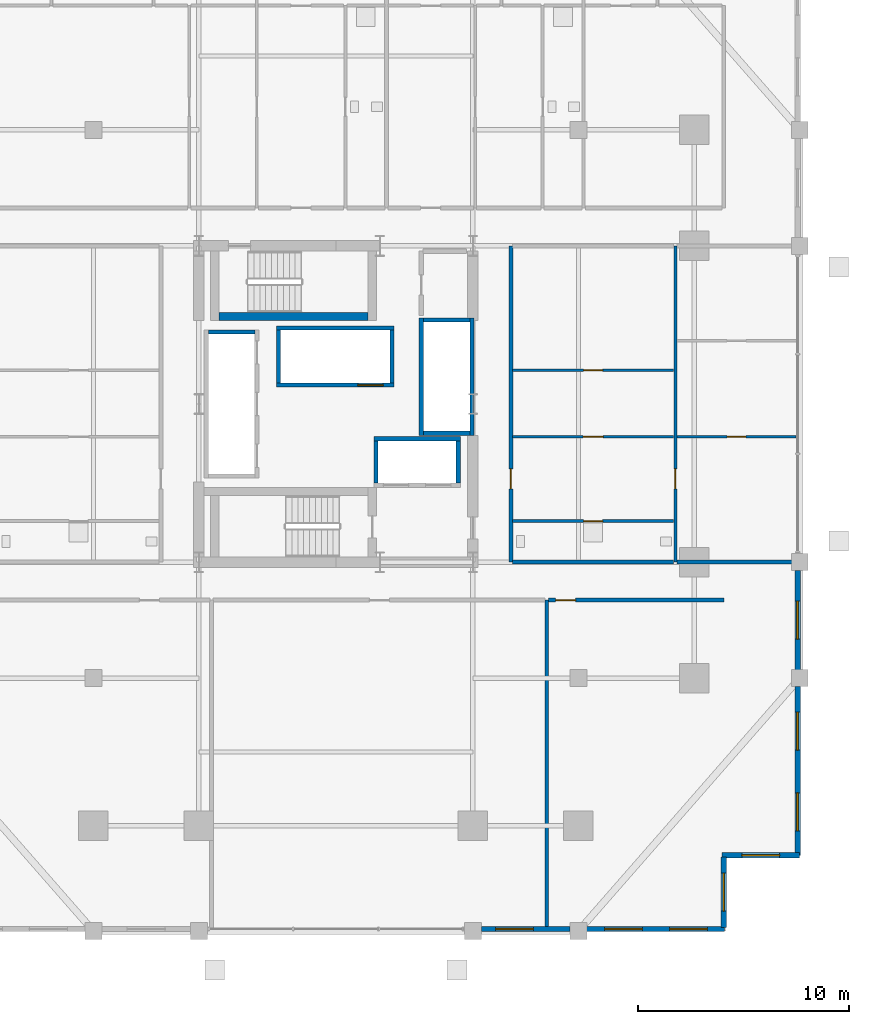
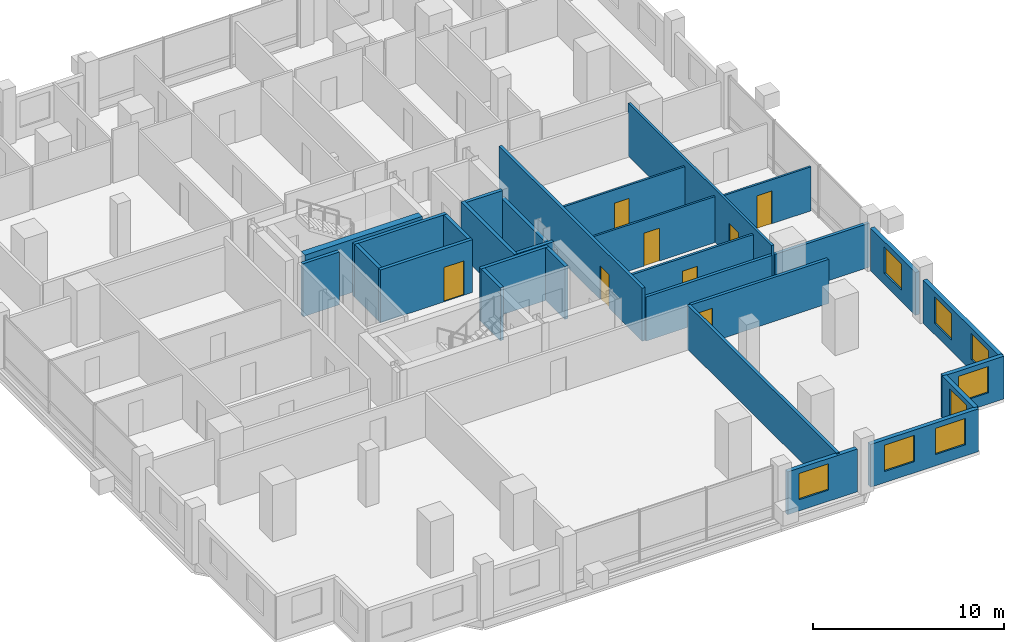
# One storey, part 18 of 23: 29 walls, 8 doors, 8 windows, 16 openings.
"""IFC4 building model written with IfcOpenShell, lengths in metres."""

from ifc_helpers import new_model, si_unit, direction, frame, frame_2d, origin, place, context, subcontext, project, spatial, rectangle, extrude, material, layer, layer_set, type_object, element, fill, save


model = new_model("IFC4")

# Units and contexts
model_context = context("Model", 3, precision=1e-05, world=origin(), true_north=direction((0.0, 1.0)))
body_context = subcontext(model_context, "Body", "Model", "MODEL_VIEW")
ifc_project = project(units=[si_unit("LENGTHUNIT", "METRE"), si_unit("AREAUNIT", "SQUARE_METRE"), si_unit("VOLUMEUNIT", "CUBIC_METRE"), si_unit("PLANEANGLEUNIT", "RADIAN"), si_unit("MASSUNIT", "GRAM", prefix="KILO")], contexts=[model_context])

# Site, building, storey
site_placement = place(None, origin())
site = spatial("IfcSite", under=ifc_project, at=site_placement, CompositionType="ELEMENT")
building_placement = place(site_placement, origin())
building = spatial("IfcBuilding", under=site, at=building_placement, Name="Barlavira Tower and Art Museum", CompositionType="ELEMENT")
storey_placement = place(building_placement, frame((0.0, 0.0, 64.800048828125)))
storey = spatial("IfcBuildingStorey", under=building, at=storey_placement, Name="L15", CompositionType="ELEMENT", Elevation=64.800048828125)

# Wall, opening, door
ifc_material_1 = material(Name="Gypsum acoustic stud partition", Category="gypsum")
ifc_layer_1 = layer(ifc_material_1, 0.1201171875, Name="Gypsum acoustic stud partition")
ifc_layer_set_1 = layer_set([ifc_layer_1], Name="Gypsum acoustic stud partition")
wall_type_1 = type_object("IfcWallType", Name="Apartment Internal Acoustic Partition 120", PredefinedType="PARTITIONING", material=ifc_layer_set_1)
wall_1_placement = place(storey_placement, frame((8.3798828125, -1.550048828125, 0.0), z_axis=(0.0, 0.0, 1.0), x_axis=(1.0, 0.0, 0.0)))
wall_1 = element("IfcWall", 1, at=wall_1_placement, inside=storey, type_object=wall_type_1, Name="L15 Partition Wall 32", PredefinedType="PARTITIONING", context=body_context, shape_type="SweptSolid", body=[
    extrude(rectangle(XDim=7.64013671875, YDim=0.1201171875, at=frame_2d((3.820068359375, 0.0))), origin(), (0.0, 0.0, 1.0), 2.947998046875),
])
opening_1_placement = place(wall_1_placement, frame((3.344970703125, 0.0, 0.0)))
opening_1 = element("IfcOpeningElement", 2, at=opening_1_placement, cuts=wall_1, Name="Opening D-02", PredefinedType="OPENING", context=body_context, shape_type="SweptSolid", body=[
    extrude(rectangle(XDim=0.949951171875, YDim=2.10009765625, at=frame_2d((0.47509765625, 1.050048828125))), frame((0.0, 0.070068359375, 0.0), z_axis=(0.0, -1.0, 0.0), x_axis=(1.0, 0.0, 0.0)), (0.0, 0.0, 1.0), 0.14013671875),
])
ifc_material_2 = material(Name="Engineered coastal hardwood", Category="wood")
door_type_1 = type_object("IfcDoorType", Name="Living and Salon Glazed-Leaf Door 950x2100", OperationType="NOTDEFINED", PredefinedType="DOOR", material=ifc_material_2)
door_1_placement = place(opening_1_placement, origin())
door_1 = element("IfcDoor", 3, at=door_1_placement, inside=storey, type_object=door_type_1, Name="Apartment E1 Kitchen Door", OperationType="SINGLE_SWING_LEFT", OverallHeight=2.10009765625, OverallWidth=0.949951171875, PredefinedType="DOOR", context=body_context, shape_type="SweptSolid", body=[
    extrude(rectangle(XDim=0.949951171875, YDim=2.10009765625, at=frame_2d((0.47509765625, 1.050048828125))), frame((0.0, 0.02490234375, 0.0), z_axis=(0.0, -1.0, 0.0), x_axis=(1.0, 0.0, 0.0)), (0.0, 0.0, 1.0), 0.050048828125),
])
fill(opening_1, door_1)

wall_2_placement = place(storey_placement, frame((16.179931640625, -1.550048828125, 0.0), z_axis=(0.0, 0.0, 1.0), x_axis=(1.0, 0.0, 0.0)))
wall_2 = element("IfcWall", 4, at=wall_2_placement, inside=storey, type_object=wall_type_1, Name="L15 Partition Wall 33", PredefinedType="PARTITIONING", context=body_context, shape_type="SweptSolid", body=[
    extrude(rectangle(XDim=5.64013671875, YDim=0.1201171875, at=frame_2d((2.820068359375, 0.0))), origin(), (0.0, 0.0, 1.0), 2.81591796875),
])
opening_2_placement = place(wall_2_placement, frame((2.3701171875, 0.0, 0.0)))
opening_2 = element("IfcOpeningElement", 5, at=opening_2_placement, cuts=wall_2, Name="Opening D-01", PredefinedType="OPENING", context=body_context, shape_type="SweptSolid", body=[
    extrude(rectangle(XDim=0.89990234375, YDim=2.10009765625, at=frame_2d((0.449951171875, 1.050048828125))), frame((0.0, 0.070068359375, 0.0), z_axis=(0.0, -1.0, 0.0), x_axis=(1.0, 0.0, 0.0)), (0.0, 0.0, 1.0), 0.14013671875),
])
door_type_2 = type_object("IfcDoorType", Name="Internal Bedroom Timber Flush Door 900x2100", OperationType="NOTDEFINED", PredefinedType="DOOR", material=ifc_material_2)
door_2_placement = place(opening_2_placement, origin())
door_2 = element("IfcDoor", 6, at=door_2_placement, inside=storey, type_object=door_type_2, Name="Apartment E1 Bedroom 1 Door", OperationType="SINGLE_SWING_RIGHT", OverallHeight=2.10009765625, OverallWidth=0.89990234375, PredefinedType="DOOR", context=body_context, shape_type="SweptSolid", body=[
    extrude(rectangle(XDim=0.89990234375, YDim=2.10009765625, at=frame_2d((0.449951171875, 1.050048828125))), frame((0.0, 0.02490234375, 0.0), z_axis=(0.0, -1.0, 0.0), x_axis=(1.0, 0.0, 0.0)), (0.0, 0.0, 1.0), 0.050048828125),
])
fill(opening_2, door_2)

wall_3_placement = place(storey_placement, frame((8.3798828125, 1.60009765625, 0.0), z_axis=(0.0, 0.0, 1.0), x_axis=(1.0, 0.0, 0.0)))
wall_3 = element("IfcWall", 7, at=wall_3_placement, inside=storey, type_object=wall_type_1, Name="L15 Partition Wall 35", PredefinedType="PARTITIONING", context=body_context, shape_type="SweptSolid", body=[
    extrude(rectangle(XDim=7.64013671875, YDim=0.1201171875, at=frame_2d((3.820068359375, 0.0))), origin(), (0.0, 0.0, 1.0), 2.947998046875),
])
opening_3_placement = place(wall_3_placement, frame((3.3701171875, 0.0, 0.0)))
opening_3 = element("IfcOpeningElement", 8, at=opening_3_placement, cuts=wall_3, Name="Opening D-01", PredefinedType="OPENING", context=body_context, shape_type="SweptSolid", body=[
    extrude(rectangle(XDim=0.89990234375, YDim=2.10009765625, at=frame_2d((0.449951171875, 1.050048828125))), frame((0.0, 0.070068359375, 0.0), z_axis=(0.0, -1.0, 0.0), x_axis=(1.0, 0.0, 0.0)), (0.0, 0.0, 1.0), 0.14013671875),
])
door_3_placement = place(opening_3_placement, origin())
door_3 = element("IfcDoor", 9, at=door_3_placement, inside=storey, type_object=door_type_2, Name="Apartment E1 Walk-In Dressing Room Door", OperationType="SINGLE_SWING_RIGHT", OverallHeight=2.10009765625, OverallWidth=0.89990234375, PredefinedType="DOOR", context=body_context, shape_type="SweptSolid", body=[
    extrude(rectangle(XDim=0.89990234375, YDim=2.10009765625, at=frame_2d((0.449951171875, 1.050048828125))), frame((0.0, 0.02490234375, 0.0), z_axis=(0.0, -1.0, 0.0), x_axis=(1.0, 0.0, 0.0)), (0.0, 0.0, 1.0), 0.050048828125),
])
fill(opening_3, door_3)

# Walls
ifc_material_3 = material(Name="Autoclaved aerated concrete masonry", Category="masonry")
ifc_layer_2 = layer(ifc_material_3, 0.199951171875, Name="Autoclaved aerated concrete masonry")
ifc_layer_set_2 = layer_set([ifc_layer_2], Name="Autoclaved aerated concrete masonry")
wall_type_2 = type_object("IfcWallType", Name="Fire Compartment and Shaft Wall 200", PredefinedType="SOLIDWALL", material=ifc_layer_set_2)
wall_4_placement = place(storey_placement, frame((-6.050048828125, 3.409912109375, 0.0), z_axis=(0.0, 0.0, 1.0), x_axis=(1.0, 0.0, 0.0)))
element("IfcWall", 10, at=wall_4_placement, inside=storey, type_object=wall_type_2, Name="L15 Low-Rise Lift North Shaft Wall", PredefinedType="SOLIDWALL", context=body_context, shape_type="SweptSolid", body=[
    extrude(rectangle(XDim=2.199951171875, YDim=0.199951171875, at=frame_2d((1.10009765625, 0.0))), origin(), (0.0, 0.0, 1.0), 3.3798828125),
])
wall_5_placement = place(storey_placement, frame((4.050048828125, -1.489990234375, 0.0), z_axis=(0.0, 0.0, 1.0), x_axis=(0.0, 1.0, 0.0)))
element("IfcWall", 11, at=wall_5_placement, inside=storey, type_object=wall_type_2, Name="L15 Mid-Rise Lift Front Shaft Wall", PredefinedType="SOLIDWALL", context=body_context, shape_type="SweptSolid", body=[
    extrude(rectangle(XDim=5.580078125, YDim=0.199951171875, at=frame_2d((2.7900390625, 0.0))), origin(), (0.0, 0.0, 1.0), 3.3798828125),
])
wall_6_placement = place(storey_placement, frame((6.449951171875, -1.489990234375, 0.0), z_axis=(0.0, 0.0, 1.0), x_axis=(0.0, 1.0, 0.0)))
element("IfcWall", 12, at=wall_6_placement, inside=storey, type_object=wall_type_2, Name="L15 Mid-Rise Lift Back Shaft Wall", PredefinedType="SOLIDWALL", context=body_context, shape_type="SweptSolid", body=[
    extrude(rectangle(XDim=5.580078125, YDim=0.199951171875, at=frame_2d((2.7900390625, 0.0))), origin(), (0.0, 0.0, 1.0), 2.81591796875),
])
for number, where, z_axis, x_axis, name in (
    (13, (4.14990234375, -1.389892578125, 0.0), (0.0, 0.0, 1.0), (1.0, 0.0, 0.0), "L15 Mid-Rise Lift South Shaft Wall"),
    (14, (4.14990234375, 3.989990234375, 0.0), (0.0, 0.0, 1.0), (1.0, 0.0, 0.0), "L15 Mid-Rise Lift North Shaft Wall"),
):
    element("IfcWall", number, at=place(storey_placement, frame(where, z_axis=z_axis, x_axis=x_axis)), inside=storey, type_object=wall_type_2, Name=name, PredefinedType="SOLIDWALL", context=body_context, shape_type="SweptSolid", body=[
        extrude(rectangle(XDim=2.2001953125, YDim=0.199951171875, at=frame_2d((1.10009765625, 0.0))), origin(), (0.0, 0.0, 1.0), 3.3798828125),
    ])

# Wall, opening, door
wall_7_placement = place(storey_placement, frame((-2.820068359375, 0.89990234375, 0.0), z_axis=(0.0, 0.0, 1.0), x_axis=(1.0, 0.0, 0.0)))
wall_7 = element("IfcWall", 15, at=wall_7_placement, inside=storey, type_object=wall_type_2, Name="L15 High-Rise & Service Lift Front Wall", PredefinedType="SOLIDWALL", context=body_context, shape_type="SweptSolid", body=[
    extrude(rectangle(XDim=5.580078125, YDim=0.199951171875, at=frame_2d((2.7900390625, 0.0))), origin(), (0.0, 0.0, 1.0), 3.3798828125),
])
opening_4_placement = place(wall_7_placement, frame((3.860107421875, 0.0, 0.0)))
opening_4 = element("IfcOpeningElement", 16, at=opening_4_placement, cuts=wall_7, Name="Opening LD-F", PredefinedType="OPENING", context=body_context, shape_type="SweptSolid", body=[
    extrude(rectangle(XDim=1.199951171875, YDim=2.199951171875, at=frame_2d((0.60009765625, 1.10009765625))), frame((0.0, 0.10986328125, 0.0), z_axis=(0.0, -1.0, 0.0), x_axis=(1.0, 0.0, 0.0)), (0.0, 0.0, 1.0), 0.219970703125),
])
ifc_material_4 = material(Name="Brushed stainless steel", Category="steel")
door_type_3 = type_object("IfcDoorType", Name="Firefighting and Service Lift Sliding Door 1200x2200 FD120", OperationType="NOTDEFINED", PredefinedType="DOOR", material=ifc_material_4)
door_4_placement = place(opening_4_placement, origin())
door_4 = element("IfcDoor", 17, at=door_4_placement, inside=storey, type_object=door_type_3, Name="L15 Stretcher Service Lift SL1 Sliding Door", OperationType="DOUBLE_DOOR_SLIDING", OverallHeight=2.199951171875, OverallWidth=1.199951171875, PredefinedType="DOOR", context=body_context, shape_type="SweptSolid", body=[
    extrude(rectangle(XDim=1.199951171875, YDim=2.199951171875, at=frame_2d((0.60009765625, 1.10009765625))), frame((0.0, 0.02490234375, 0.0), z_axis=(0.0, -1.0, 0.0), x_axis=(1.0, 0.0, 0.0)), (0.0, 0.0, 1.0), 0.050048828125),
])
fill(opening_4, door_4)

# Walls
wall_8_placement = place(storey_placement, frame((-2.820068359375, 3.60009765625, 0.0), z_axis=(0.0, 0.0, 1.0), x_axis=(1.0, 0.0, 0.0)))
element("IfcWall", 18, at=wall_8_placement, inside=storey, type_object=wall_type_2, Name="L15 High-Rise & Service Lift Back Wall", PredefinedType="SOLIDWALL", context=body_context, shape_type="SweptSolid", body=[
    extrude(rectangle(XDim=5.580078125, YDim=0.199951171875, at=frame_2d((2.7900390625, 0.0))), origin(), (0.0, 0.0, 1.0), 3.3798828125),
])
for number, where, z_axis, x_axis, name in (
    (19, (-2.719970703125, 1.0, 0.0), (0.0, 0.0, 1.0), (0.0, 1.0, 0.0), "L15 High-Rise & Service Lift West Wall"),
    (20, (2.659912109375, 1.0, 0.0), (0.0, 0.0, 1.0), (0.0, 1.0, 0.0), "L15 High-Rise & Service Lift East Wall"),
):
    element("IfcWall", number, at=place(storey_placement, frame(where, z_axis=z_axis, x_axis=x_axis)), inside=storey, type_object=wall_type_2, Name=name, PredefinedType="SOLIDWALL", context=body_context, shape_type="SweptSolid", body=[
        extrude(rectangle(XDim=2.5, YDim=0.199951171875, at=frame_2d((1.25, 0.0))), origin(), (0.0, 0.0, 1.0), 3.3798828125),
    ])
wall_9_placement = place(storey_placement, frame((1.800048828125, -1.64990234375, 0.0), z_axis=(0.0, 0.0, 1.0), x_axis=(1.0, 0.0, 0.0)))
element("IfcWall", 21, at=wall_9_placement, inside=storey, type_object=wall_type_2, Name="L15 Firefighting Lift Back Shaft Wall", PredefinedType="SOLIDWALL", context=body_context, shape_type="SweptSolid", body=[
    extrude(rectangle(XDim=4.099853515625, YDim=0.199951171875, at=frame_2d((2.0498046875, 0.0))), origin(), (0.0, 0.0, 1.0), 3.3798828125),
])
for number, where, z_axis, x_axis, name in (
    (22, (1.89990234375, -3.75, 0.0), (0.0, 0.0, 1.0), (0.0, 1.0, 0.0), "L15 Firefighting Lift West Shaft Wall"),
    (23, (5.800048828125, -3.75, 0.0), (0.0, 0.0, 1.0), (0.0, 1.0, 0.0), "L15 Firefighting Lift East Shaft Wall"),
):
    element("IfcWall", number, at=place(storey_placement, frame(where, z_axis=z_axis, x_axis=x_axis)), inside=storey, type_object=wall_type_2, Name=name, PredefinedType="SOLIDWALL", context=body_context, shape_type="SweptSolid", body=[
        extrude(rectangle(XDim=2.0, YDim=0.199951171875, at=frame_2d((1.0, 0.0))), origin(), (0.0, 0.0, 1.0), 3.3798828125),
    ])

# Wall, opening, door
ifc_layer_3 = layer(ifc_material_1, 0.179931640625, Name="Gypsum acoustic stud partition")
ifc_layer_set_3 = layer_set([ifc_layer_3], Name="Gypsum acoustic stud partition")
wall_type_3 = type_object("IfcWallType", Name="Inter-Tenancy Party Partition Wall 180", PredefinedType="PARTITIONING", material=ifc_layer_set_3)
wall_10_placement = place(storey_placement, frame((8.300048828125, -7.5, 0.0), z_axis=(0.0, 0.0, 1.0), x_axis=(0.0, 1.0, 0.0)))
wall_10 = element("IfcWall", 24, at=wall_10_placement, inside=storey, type_object=wall_type_3, Name="L15 Partition Wall 14", PredefinedType="PARTITIONING", context=body_context, shape_type="SweptSolid", body=[
    extrude(rectangle(XDim=15.0, YDim=0.179931640625, at=frame_2d((7.5, 0.0))), origin(), (0.0, 0.0, 1.0), 3.3798828125),
])
opening_5_placement = place(wall_10_placement, frame((3.47509765625, 0.0, 0.0)))
opening_5 = element("IfcOpeningElement", 25, at=opening_5_placement, cuts=wall_10, Name="Opening FD-60", PredefinedType="OPENING", context=body_context, shape_type="SweptSolid", body=[
    extrude(rectangle(XDim=0.949951171875, YDim=2.14990234375, at=frame_2d((0.47509765625, 1.074951171875))), frame((0.0, 0.10009765625, 0.0), z_axis=(0.0, -1.0, 0.0), x_axis=(1.0, 0.0, 0.0)), (0.0, 0.0, 1.0), 0.199951171875),
])
door_type_4 = type_object("IfcDoorType", Name="Apartment Entrance and Riser Fire Door 950x2150 FD60S", OperationType="NOTDEFINED", PredefinedType="DOOR", material=ifc_material_4)
door_5_placement = place(opening_5_placement, origin())
door_5 = element("IfcDoor", 26, at=door_5_placement, inside=storey, type_object=door_type_4, Name="Apartment Entrance Hall E1 Door", OperationType="SINGLE_SWING_RIGHT", OverallHeight=2.14990234375, OverallWidth=0.949951171875, PredefinedType="DOOR", context=body_context, shape_type="SweptSolid", body=[
    extrude(rectangle(XDim=0.949951171875, YDim=2.14990234375, at=frame_2d((0.47509765625, 1.074951171875))), frame((0.0, 0.02490234375, 0.0), z_axis=(0.0, -1.0, 0.0), x_axis=(1.0, 0.0, 0.0)), (0.0, 0.0, 1.0), 0.050048828125),
])
fill(opening_5, door_5)

# Wall
wall_11_placement = place(storey_placement, frame((10.0, -24.89990234375, 0.0), z_axis=(0.0, 0.0, 1.0), x_axis=(0.0, 1.0, 0.0)))
element("IfcWall", 27, at=wall_11_placement, inside=storey, type_object=wall_type_3, Name="L15 Partition Wall 16", PredefinedType="PARTITIONING", context=body_context, shape_type="SweptSolid", body=[
    extrude(rectangle(XDim=15.599853515625, YDim=0.179931640625, at=frame_2d((7.7998046875, 0.0))), origin(), (0.0, 0.0, 1.0), 2.81591796875),
])

# Wall, opening, door
wall_12_placement = place(storey_placement, frame((10.080078125, -9.300048828125, 0.0), z_axis=(0.0, 0.0, 1.0), x_axis=(1.0, 0.0, 0.0)))
wall_12 = element("IfcWall", 28, at=wall_12_placement, inside=storey, type_object=wall_type_3, Name="L15 Partition Wall 23", PredefinedType="PARTITIONING", context=body_context, shape_type="SweptSolid", body=[
    extrude(rectangle(XDim=8.31982421875, YDim=0.179931640625, at=frame_2d((4.159912109375, 0.0))), origin(), (0.0, 0.0, 1.0), 2.81591796875),
])
opening_6_placement = place(wall_12_placement, frame((0.344970703125, 0.0, 0.0)))
opening_6 = element("IfcOpeningElement", 29, at=opening_6_placement, cuts=wall_12, Name="Opening FD-60", PredefinedType="OPENING", context=body_context, shape_type="SweptSolid", body=[
    extrude(rectangle(XDim=0.949951171875, YDim=2.14990234375, at=frame_2d((0.47509765625, 1.074951171875))), frame((0.0, 0.10009765625, 0.0), z_axis=(0.0, -1.0, 0.0), x_axis=(1.0, 0.0, 0.0)), (0.0, 0.0, 1.0), 0.199951171875),
])
door_6_placement = place(opening_6_placement, origin())
door_6 = element("IfcDoor", 30, at=door_6_placement, inside=storey, type_object=door_type_4, Name="Shared Coworking Espresso Pantry Door", OperationType="SINGLE_SWING_LEFT", OverallHeight=2.14990234375, OverallWidth=0.949951171875, PredefinedType="DOOR", context=body_context, shape_type="SweptSolid", body=[
    extrude(rectangle(XDim=0.949951171875, YDim=2.14990234375, at=frame_2d((0.47509765625, 1.074951171875))), frame((0.0, 0.02490234375, 0.0), z_axis=(0.0, -1.0, 0.0), x_axis=(1.0, 0.0, 0.0)), (0.0, 0.0, 1.0), 0.050048828125),
])
fill(opening_6, door_6)

# Walls
wall_13_placement = place(storey_placement, frame((8.3798828125, -7.5, 0.0), z_axis=(0.0, 0.0, 1.0), x_axis=(1.0, 0.0, 0.0)))
element("IfcWall", 31, at=wall_13_placement, inside=storey, type_object=wall_type_3, Name="L15 Partition Wall 26", PredefinedType="PARTITIONING", context=body_context, shape_type="SweptSolid", body=[
    extrude(rectangle(XDim=7.64013671875, YDim=0.179931640625, at=frame_2d((3.820068359375, 0.0))), origin(), (0.0, 0.0, 1.0), 2.81591796875),
])
wall_14_placement = place(storey_placement, frame((16.179931640625, -7.5, 0.0), z_axis=(0.0, 0.0, 1.0), x_axis=(1.0, 0.0, 0.0)))
element("IfcWall", 32, at=wall_14_placement, inside=storey, type_object=wall_type_3, Name="L15 Partition Wall 27", PredefinedType="PARTITIONING", context=body_context, shape_type="SweptSolid", body=[
    extrude(rectangle(XDim=5.719970703125, YDim=0.179931640625, at=frame_2d((2.85986328125, 0.0))), origin(), (0.0, 0.0, 1.0), 2.81591796875),
])

# Wall, opening, door
ifc_layer_4 = layer(ifc_material_1, 0.139892578125, Name="Gypsum acoustic stud partition")
ifc_layer_set_4 = layer_set([ifc_layer_4], Name="Gypsum acoustic stud partition")
wall_type_4 = type_object("IfcWallType", Name="Moisture-Resistant Bathroom Partition 140", PredefinedType="PARTITIONING", material=ifc_layer_set_4)
wall_15_placement = place(storey_placement, frame((16.10009765625, -7.5, 0.0), z_axis=(0.0, 0.0, 1.0), x_axis=(0.0, 1.0, 0.0)))
wall_15 = element("IfcWall", 33, at=wall_15_placement, inside=storey, type_object=wall_type_4, Name="L15 Partition Wall 19", PredefinedType="PARTITIONING", context=body_context, shape_type="SweptSolid", body=[
    extrude(rectangle(XDim=15.0, YDim=0.139892578125, at=frame_2d((7.5, 0.0))), origin(), (0.0, 0.0, 1.0), 3.3798828125),
])
opening_7_placement = place(wall_15_placement, frame((3.47509765625, 0.0, 0.0)))
opening_7 = element("IfcOpeningElement", 34, at=opening_7_placement, cuts=wall_15, Name="Opening D-02", PredefinedType="OPENING", context=body_context, shape_type="SweptSolid", body=[
    extrude(rectangle(XDim=0.949951171875, YDim=2.10009765625, at=frame_2d((0.47509765625, 1.050048828125))), frame((0.0, 0.080078125, 0.0), z_axis=(0.0, -1.0, 0.0), x_axis=(1.0, 0.0, 0.0)), (0.0, 0.0, 1.0), 0.159912109375),
])
door_7_placement = place(opening_7_placement, origin())
door_7 = element("IfcDoor", 35, at=door_7_placement, inside=storey, type_object=door_type_1, Name="Apartment E1 Living Lounge Door", OperationType="SINGLE_SWING_LEFT", OverallHeight=2.10009765625, OverallWidth=0.949951171875, PredefinedType="DOOR", context=body_context, shape_type="SweptSolid", body=[
    extrude(rectangle(XDim=0.949951171875, YDim=2.10009765625, at=frame_2d((0.47509765625, 1.050048828125))), frame((0.0, 0.02490234375, 0.0), z_axis=(0.0, -1.0, 0.0), x_axis=(1.0, 0.0, 0.0)), (0.0, 0.0, 1.0), 0.050048828125),
])
fill(opening_7, door_7)

wall_16_placement = place(storey_placement, frame((8.3798828125, -5.550048828125, 0.0), z_axis=(0.0, 0.0, 1.0), x_axis=(1.0, 0.0, 0.0)))
wall_16 = element("IfcWall", 36, at=wall_16_placement, inside=storey, type_object=wall_type_4, Name="L15 Partition Wall 29", PredefinedType="PARTITIONING", context=body_context, shape_type="SweptSolid", body=[
    extrude(rectangle(XDim=7.64013671875, YDim=0.139892578125, at=frame_2d((3.820068359375, 0.0))), origin(), (0.0, 0.0, 1.0), 2.947998046875),
])
opening_8_placement = place(wall_16_placement, frame((3.3701171875, 0.0, 0.0)))
opening_8 = element("IfcOpeningElement", 37, at=opening_8_placement, cuts=wall_16, Name="Opening D-WC", PredefinedType="OPENING", context=body_context, shape_type="SweptSolid", body=[
    extrude(rectangle(XDim=0.89990234375, YDim=2.10009765625, at=frame_2d((0.449951171875, 1.050048828125))), frame((0.0, 0.080078125, 0.0), z_axis=(0.0, -1.0, 0.0), x_axis=(1.0, 0.0, 0.0)), (0.0, 0.0, 1.0), 0.159912109375),
])
door_type_5 = type_object("IfcDoorType", Name="Accessible Bathroom Flush Door 900x2100", OperationType="NOTDEFINED", PredefinedType="DOOR", material=ifc_material_2)
door_8_placement = place(opening_8_placement, origin())
door_8 = element("IfcDoor", 38, at=door_8_placement, inside=storey, type_object=door_type_5, Name="Apartment E1 Hall Bathroom Door", OperationType="SINGLE_SWING_LEFT", OverallHeight=2.10009765625, OverallWidth=0.89990234375, PredefinedType="DOOR", context=body_context, shape_type="SweptSolid", body=[
    extrude(rectangle(XDim=0.89990234375, YDim=2.10009765625, at=frame_2d((0.449951171875, 1.050048828125))), frame((0.0, 0.02490234375, 0.0), z_axis=(0.0, -1.0, 0.0), x_axis=(1.0, 0.0, 0.0)), (0.0, 0.0, 1.0), 0.050048828125),
])
fill(opening_8, door_8)

# Wall, opening, window
ifc_material_5 = material(Name="Precast concrete C40", Category="concrete")
ifc_layer_5 = layer(ifc_material_5, 0.25, Name="Precast concrete C40")
ifc_layer_set_5 = layer_set([ifc_layer_5], Name="Precast concrete C40")
wall_type_5 = type_object("IfcWallType", Name="Notched Corner Spandrel Wall 250 Precast Concrete C40", PredefinedType="SOLIDWALL", material=ifc_layer_set_5)
wall_17_placement = place(storey_placement, frame((6.89501953125, -24.89990234375, 0.0), z_axis=(0.0, 0.0, 1.0), x_axis=(1.0, 0.0, 0.0)))
wall_17 = element("IfcWall", 39, at=wall_17_placement, inside=storey, type_object=wall_type_5, Name="L15 Coastal Facade Pier Wall CW1-L15-S-4", PredefinedType="SOLIDWALL", context=body_context, shape_type="SweptSolid", body=[
    extrude(rectangle(XDim=4.2099609375, YDim=0.25, at=frame_2d((2.10498046875, 0.0))), origin(), (0.0, 0.0, 1.0), 2.73583984375),
])
opening_9_placement = place(wall_17_placement, frame((0.675048828125, 0.0, 0.719970703125)))
opening_9 = element("IfcOpeningElement", 40, at=opening_9_placement, cuts=wall_17, Name="Opening WN-01", PredefinedType="OPENING", context=body_context, shape_type="SweptSolid", body=[
    extrude(rectangle(XDim=1.800048828125, YDim=1.679931640625, at=frame_2d((0.89990234375, 0.83984375))), frame((0.0, 0.135009765625, 0.0), z_axis=(0.0, -1.0, 0.0), x_axis=(1.0, 0.0, 0.0)), (0.0, 0.0, 1.0), 0.27001953125),
])
ifc_material_6 = material(Name="Low-iron coastal laminated glass", Category="glass")
window_type = type_object("IfcWindowType", Name="Recessed Notch Corner Punch Window 1800x1680", PartitioningType="SINGLE_PANEL", PredefinedType="WINDOW", material=ifc_material_6)
window_1_placement = place(opening_9_placement, origin())
window_1 = element("IfcWindow", 41, at=window_1_placement, inside=storey, type_object=window_type, Name="L15 Punched Facade Window EWP-CW1-L15-S-4-1", OverallHeight=1.679931640625, OverallWidth=1.800048828125, PartitioningType="SINGLE_PANEL", PredefinedType="WINDOW", context=body_context, shape_type="SweptSolid", body=[
    extrude(rectangle(XDim=1.800048828125, YDim=1.679931640625, at=frame_2d((0.89990234375, 0.83984375))), frame((0.0, 0.030029296875, 0.0), z_axis=(0.0, -1.0, 0.0), x_axis=(1.0, 0.0, 0.0)), (0.0, 0.0, 1.0), 0.06005859375),
])
fill(opening_9, window_1)

# Wall, openings, windows
wall_18_placement = place(storey_placement, frame((11.89501953125, -24.89990234375, 0.0), z_axis=(0.0, 0.0, 1.0), x_axis=(1.0, 0.0, 0.0)))
wall_18 = element("IfcWall", 42, at=wall_18_placement, inside=storey, type_object=wall_type_5, Name="L15 Coastal Facade Pier Wall CW1-L15-S-5", PredefinedType="SOLIDWALL", context=body_context, shape_type="SweptSolid", body=[
    extrude(rectangle(XDim=6.530029296875, YDim=0.25, at=frame_2d((3.26513671875, 0.0))), origin(), (0.0, 0.0, 1.0), 2.73583984375),
])
opening_10_placement = place(wall_18_placement, frame((0.845947265625, 0.0, 0.719970703125)))
opening_10 = element("IfcOpeningElement", 43, at=opening_10_placement, cuts=wall_18, Name="Opening WN-01", PredefinedType="OPENING", context=body_context, shape_type="SweptSolid", body=[
    extrude(rectangle(XDim=1.800048828125, YDim=1.679931640625, at=frame_2d((0.89990234375, 0.83984375))), frame((0.0, 0.135009765625, 0.0), z_axis=(0.0, -1.0, 0.0), x_axis=(1.0, 0.0, 0.0)), (0.0, 0.0, 1.0), 0.27001953125),
])
opening_11_placement = place(wall_18_placement, frame((3.928955078125, 0.0, 0.719970703125)))
opening_11 = element("IfcOpeningElement", 44, at=opening_11_placement, cuts=wall_18, Name="Opening WN-01", PredefinedType="OPENING", context=body_context, shape_type="SweptSolid", body=[
    extrude(rectangle(XDim=1.800048828125, YDim=1.679931640625, at=frame_2d((0.89990234375, 0.83984375))), frame((0.0, 0.135009765625, 0.0), z_axis=(0.0, -1.0, 0.0), x_axis=(1.0, 0.0, 0.0)), (0.0, 0.0, 1.0), 0.27001953125),
])
window_2_placement = place(opening_10_placement, origin())
window_2 = element("IfcWindow", 45, at=window_2_placement, inside=storey, type_object=window_type, Name="L15 Punched Facade Window EWP-CW1-L15-S-5-1", OverallHeight=1.679931640625, OverallWidth=1.800048828125, PartitioningType="SINGLE_PANEL", PredefinedType="WINDOW", context=body_context, shape_type="SweptSolid", body=[
    extrude(rectangle(XDim=1.800048828125, YDim=1.679931640625, at=frame_2d((0.89990234375, 0.83984375))), frame((0.0, 0.030029296875, 0.0), z_axis=(0.0, -1.0, 0.0), x_axis=(1.0, 0.0, 0.0)), (0.0, 0.0, 1.0), 0.06005859375),
])
fill(opening_10, window_2)
window_3_placement = place(opening_11_placement, origin())
window_3 = element("IfcWindow", 46, at=window_3_placement, inside=storey, type_object=window_type, Name="L15 Punched Facade Window EWP-CW1-L15-S-5-2", OverallHeight=1.679931640625, OverallWidth=1.800048828125, PartitioningType="SINGLE_PANEL", PredefinedType="WINDOW", context=body_context, shape_type="SweptSolid", body=[
    extrude(rectangle(XDim=1.800048828125, YDim=1.679931640625, at=frame_2d((0.89990234375, 0.83984375))), frame((0.0, 0.030029296875, 0.0), z_axis=(0.0, -1.0, 0.0), x_axis=(1.0, 0.0, 0.0)), (0.0, 0.0, 1.0), 0.06005859375),
])
fill(opening_11, window_3)

wall_19_placement = place(storey_placement, frame((21.89990234375, -21.425048828125, 0.0), z_axis=(0.0, 0.0, 1.0), x_axis=(0.0, 1.0, 0.0)))
wall_19 = element("IfcWall", 47, at=wall_19_placement, inside=storey, type_object=wall_type_5, Name="L15 Coastal Facade Pier Wall CW1-L15-E-1", PredefinedType="SOLIDWALL", context=body_context, shape_type="SweptSolid", body=[
    extrude(rectangle(XDim=8.030029296875, YDim=0.25, at=frame_2d((4.01513671875, 0.0))), origin(), (0.0, 0.0, 1.0), 2.73583984375),
])
opening_12_placement = place(wall_19_placement, frame((1.176025390625, 0.0, 0.719970703125)))
opening_12 = element("IfcOpeningElement", 48, at=opening_12_placement, cuts=wall_19, Name="Opening WN-01", PredefinedType="OPENING", context=body_context, shape_type="SweptSolid", body=[
    extrude(rectangle(XDim=1.800048828125, YDim=1.679931640625, at=frame_2d((0.89990234375, 0.83984375))), frame((0.0, 0.135009765625, 0.0), z_axis=(0.0, -1.0, 0.0), x_axis=(1.0, 0.0, 0.0)), (0.0, 0.0, 1.0), 0.27001953125),
])
opening_13_placement = place(wall_19_placement, frame((5.009033203125, 0.0, 0.719970703125)))
opening_13 = element("IfcOpeningElement", 49, at=opening_13_placement, cuts=wall_19, Name="Opening WN-01", PredefinedType="OPENING", context=body_context, shape_type="SweptSolid", body=[
    extrude(rectangle(XDim=1.800048828125, YDim=1.679931640625, at=frame_2d((0.89990234375, 0.83984375))), frame((0.0, 0.135009765625, 0.0), z_axis=(0.0, -1.0, 0.0), x_axis=(1.0, 0.0, 0.0)), (0.0, 0.0, 1.0), 0.27001953125),
])
window_4_placement = place(opening_12_placement, origin())
window_4 = element("IfcWindow", 50, at=window_4_placement, inside=storey, type_object=window_type, Name="L15 Punched Facade Window EWP-CW1-L15-E-1-1", OverallHeight=1.679931640625, OverallWidth=1.800048828125, PartitioningType="SINGLE_PANEL", PredefinedType="WINDOW", context=body_context, shape_type="SweptSolid", body=[
    extrude(rectangle(XDim=1.800048828125, YDim=1.679931640625, at=frame_2d((0.89990234375, 0.83984375))), frame((0.0, 0.030029296875, 0.0), z_axis=(0.0, -1.0, 0.0), x_axis=(1.0, 0.0, 0.0)), (0.0, 0.0, 1.0), 0.06005859375),
])
fill(opening_12, window_4)
window_5_placement = place(opening_13_placement, origin())
window_5 = element("IfcWindow", 51, at=window_5_placement, inside=storey, type_object=window_type, Name="L15 Punched Facade Window EWP-CW1-L15-E-1-2", OverallHeight=1.679931640625, OverallWidth=1.800048828125, PartitioningType="SINGLE_PANEL", PredefinedType="WINDOW", context=body_context, shape_type="SweptSolid", body=[
    extrude(rectangle(XDim=1.800048828125, YDim=1.679931640625, at=frame_2d((0.89990234375, 0.83984375))), frame((0.0, 0.030029296875, 0.0), z_axis=(0.0, -1.0, 0.0), x_axis=(1.0, 0.0, 0.0)), (0.0, 0.0, 1.0), 0.06005859375),
])
fill(opening_13, window_5)

# Wall, opening, window
wall_20_placement = place(storey_placement, frame((21.89990234375, -12.60498046875, 0.0), z_axis=(0.0, 0.0, 1.0), x_axis=(0.0, 1.0, 0.0)))
wall_20 = element("IfcWall", 52, at=wall_20_placement, inside=storey, type_object=wall_type_5, Name="L15 Coastal Facade Pier Wall CW1-L15-E-2", PredefinedType="SOLIDWALL", context=body_context, shape_type="SweptSolid", body=[
    extrude(rectangle(XDim=4.7099609375, YDim=0.25, at=frame_2d((2.35498046875, 0.0))), origin(), (0.0, 0.0, 1.0), 2.73583984375),
])
opening_14_placement = place(wall_20_placement, frame((1.455078125, 0.0, 0.719970703125)))
opening_14 = element("IfcOpeningElement", 53, at=opening_14_placement, cuts=wall_20, Name="Opening WN-01", PredefinedType="OPENING", context=body_context, shape_type="SweptSolid", body=[
    extrude(rectangle(XDim=1.800048828125, YDim=1.679931640625, at=frame_2d((0.89990234375, 0.83984375))), frame((0.0, 0.135009765625, 0.0), z_axis=(0.0, -1.0, 0.0), x_axis=(1.0, 0.0, 0.0)), (0.0, 0.0, 1.0), 0.27001953125),
])
window_6_placement = place(opening_14_placement, origin())
window_6 = element("IfcWindow", 54, at=window_6_placement, inside=storey, type_object=window_type, Name="L15 Punched Facade Window EWP-CW1-L15-E-2-1", OverallHeight=1.679931640625, OverallWidth=1.800048828125, PartitioningType="SINGLE_PANEL", PredefinedType="WINDOW", context=body_context, shape_type="SweptSolid", body=[
    extrude(rectangle(XDim=1.800048828125, YDim=1.679931640625, at=frame_2d((0.89990234375, 0.83984375))), frame((0.0, 0.030029296875, 0.0), z_axis=(0.0, -1.0, 0.0), x_axis=(1.0, 0.0, 0.0)), (0.0, 0.0, 1.0), 0.06005859375),
])
fill(opening_14, window_6)

wall_21_placement = place(storey_placement, frame((18.39990234375, -24.820068359375, 0.0), z_axis=(0.0, 0.0, 1.0), x_axis=(0.0, 1.0, 0.0)))
wall_21 = element("IfcWall", 55, at=wall_21_placement, inside=storey, type_object=wall_type_5, Name="L15 Notch Corner Wall SE1", PredefinedType="SOLIDWALL", context=body_context, shape_type="SweptSolid", body=[
    extrude(rectangle(XDim=3.340087890625, YDim=0.25, at=frame_2d((1.669921875, 0.0))), origin(), (0.0, 0.0, 1.0), 2.73583984375),
])
opening_15_placement = place(wall_21_placement, frame((0.77001953125, 0.0, 0.719970703125)))
opening_15 = element("IfcOpeningElement", 56, at=opening_15_placement, cuts=wall_21, Name="Opening WN-01", PredefinedType="OPENING", context=body_context, shape_type="SweptSolid", body=[
    extrude(rectangle(XDim=1.800048828125, YDim=1.679931640625, at=frame_2d((0.89990234375, 0.83984375))), frame((0.0, 0.135009765625, 0.0), z_axis=(0.0, -1.0, 0.0), x_axis=(1.0, 0.0, 0.0)), (0.0, 0.0, 1.0), 0.27001953125),
])
window_7_placement = place(opening_15_placement, origin())
window_7 = element("IfcWindow", 57, at=window_7_placement, inside=storey, type_object=window_type, Name="L15 Punched Facade Window EW-NTC-L15-SE1-1", OverallHeight=1.679931640625, OverallWidth=1.800048828125, PartitioningType="SINGLE_PANEL", PredefinedType="WINDOW", context=body_context, shape_type="SweptSolid", body=[
    extrude(rectangle(XDim=1.800048828125, YDim=1.679931640625, at=frame_2d((0.89990234375, 0.83984375))), frame((0.0, 0.030029296875, 0.0), z_axis=(0.0, -1.0, 0.0), x_axis=(1.0, 0.0, 0.0)), (0.0, 0.0, 1.0), 0.06005859375),
])
fill(opening_15, window_7)

wall_22_placement = place(storey_placement, frame((18.320068359375, -21.39990234375, 0.0), z_axis=(0.0, 0.0, 1.0), x_axis=(1.0, 0.0, 0.0)))
wall_22 = element("IfcWall", 58, at=wall_22_placement, inside=storey, type_object=wall_type_5, Name="L15 Notch Corner Wall SE2", PredefinedType="SOLIDWALL", context=body_context, shape_type="SweptSolid", body=[
    extrude(rectangle(XDim=3.659912109375, YDim=0.25, at=frame_2d((1.830078125, 0.0))), origin(), (0.0, 0.0, 1.0), 2.73583984375),
])
opening_16_placement = place(wall_22_placement, frame((0.929931640625, 0.0, 0.719970703125)))
opening_16 = element("IfcOpeningElement", 59, at=opening_16_placement, cuts=wall_22, Name="Opening WN-01", PredefinedType="OPENING", context=body_context, shape_type="SweptSolid", body=[
    extrude(rectangle(XDim=1.800048828125, YDim=1.679931640625, at=frame_2d((0.89990234375, 0.83984375))), frame((0.0, 0.135009765625, 0.0), z_axis=(0.0, -1.0, 0.0), x_axis=(1.0, 0.0, 0.0)), (0.0, 0.0, 1.0), 0.27001953125),
])
window_8_placement = place(opening_16_placement, origin())
window_8 = element("IfcWindow", 60, at=window_8_placement, inside=storey, type_object=window_type, Name="L15 Punched Facade Window EW-NTC-L15-SE2-1", OverallHeight=1.679931640625, OverallWidth=1.800048828125, PartitioningType="SINGLE_PANEL", PredefinedType="WINDOW", context=body_context, shape_type="SweptSolid", body=[
    extrude(rectangle(XDim=1.800048828125, YDim=1.679931640625, at=frame_2d((0.89990234375, 0.83984375))), frame((0.0, 0.030029296875, 0.0), z_axis=(0.0, -1.0, 0.0), x_axis=(1.0, 0.0, 0.0)), (0.0, 0.0, 1.0), 0.06005859375),
])
fill(opening_16, window_8)

# Wall
ifc_material_7 = material(Name="Concrete C55", Category="concrete")
ifc_layer_6 = layer(ifc_material_7, 0.39990234375, Name="Concrete C55")
ifc_layer_set_6 = layer_set([ifc_layer_6], Name="Concrete C55")
wall_type_6 = type_object("IfcWallType", Name="Upper Core Shear Wall 400 Concrete C55", PredefinedType="SHEAR", material=ifc_layer_set_6)
wall_23_placement = place(storey_placement, frame((-5.550048828125, 4.14990234375, 0.0), z_axis=(0.0, 0.0, 1.0), x_axis=(1.0, 0.0, 0.0)))
element("IfcWall", 61, at=wall_23_placement, inside=storey, type_object=wall_type_6, Name="L15 ST-T2 South Shaft Wall", PredefinedType="SHEAR", context=body_context, shape_type="SweptSolid", body=[
    extrude(rectangle(XDim=7.080078125, YDim=0.39990234375, at=frame_2d((3.5400390625, 0.0))), origin(), (0.0, 0.0, 1.0), 3.3798828125),
])

save(model, "model.ifc")
